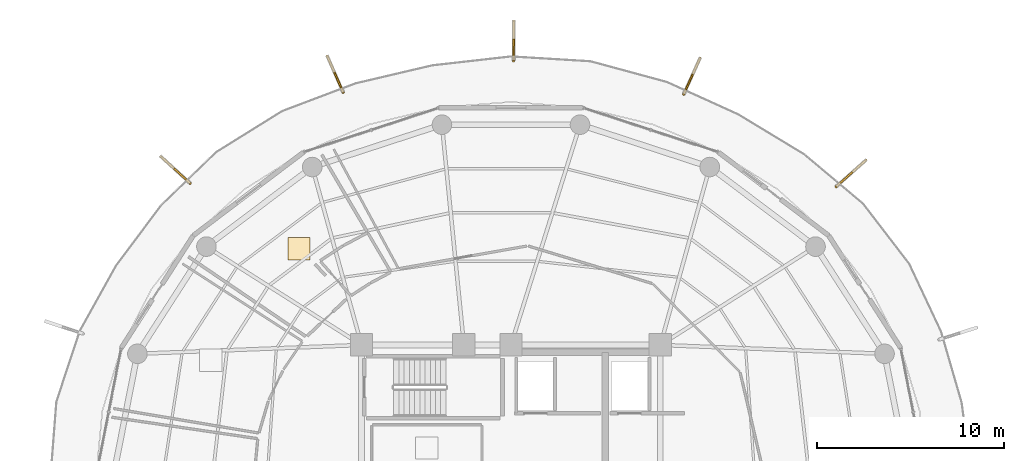
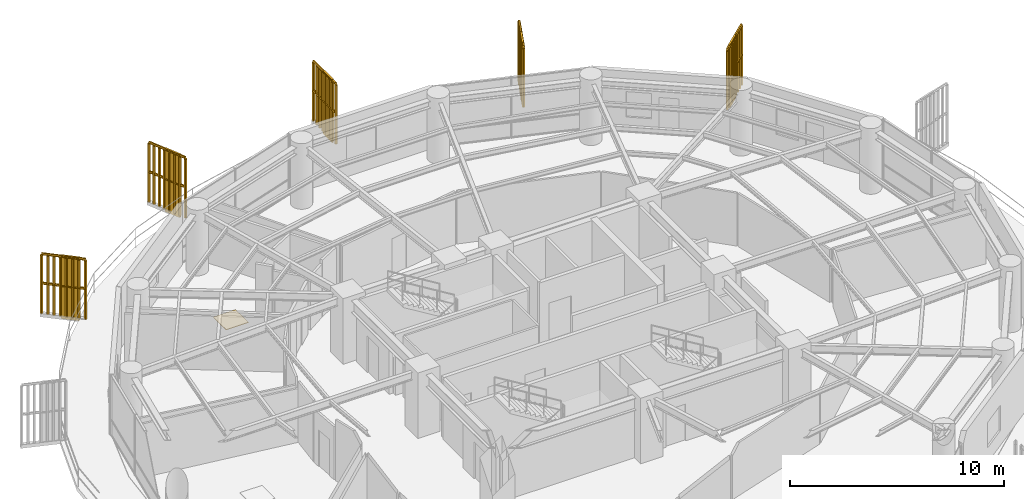
# One storey, part 31 of 31: 5 railings, 5 shading devices, 1 covering.
"""IFC4 building model written with IfcOpenShell, lengths in metres."""

from ifc_helpers import new_model, si_unit, direction, frame, origin, origin_2d, place, context, subcontext, project, spatial, polyline, rectangle, outline, extrude, source, transform, mapped, material, layer, layer_set, type_object, element, save


model = new_model("IFC4")

# Units and contexts
model_context = context("Model", 3, precision=1e-05, world=origin(), true_north=direction((0.0, 1.0)))
body_context = subcontext(model_context, "Body", "Model", "MODEL_VIEW")
ifc_project = project(units=[si_unit("LENGTHUNIT", "METRE"), si_unit("AREAUNIT", "SQUARE_METRE"), si_unit("VOLUMEUNIT", "CUBIC_METRE"), si_unit("PLANEANGLEUNIT", "RADIAN"), si_unit("MASSUNIT", "GRAM", prefix="KILO")], contexts=[model_context])

# Site, building, storey
site_placement = place(None, origin())
site = spatial("IfcSite", under=ifc_project, at=site_placement, CompositionType="ELEMENT")
building_placement = place(site_placement, origin())
building = spatial("IfcBuilding", under=site, at=building_placement, Name="Kelanora Arch Commons", CompositionType="ELEMENT")
storey_placement = place(building_placement, frame((0.0, 0.0, 193.199951171875)))
storey = spatial("IfcBuildingStorey", under=building, at=storey_placement, Name="L49", CompositionType="ELEMENT", Elevation=193.199951171875)

# Railings
ifc_material_1 = material(Name="Anodised bronze vertical shading fin rib assembly")
railing_type = type_object("IfcRailingType", Name="RAIL-FIN-BRZ", PredefinedType="BALUSTRADE", material=ifc_material_1)
railing_1_placement = place(storey_placement, frame((91.41162109375, 73.482177734375, -0.02001953125)))
element("IfcRailing", 1, at=railing_1_placement, inside=storey, type_object=railing_type, Name="Sweeping Bronze Vertical Fin Blade L49-03", PredefinedType="BALUSTRADE", context=body_context, shape_type="SweptSolid", body=[
    extrude(outline(polyline([(0.06982421875, 0.0), (0.034912109375, 0.060546875), (-0.034912109375, 0.060546875), (-0.06982421875, 0.0), (-0.034912109375, -0.060546875), (0.034912109375, -0.060546875), (0.06982421875, 0.0)])), frame((0.0, 0.0, 3.419921875), z_axis=(0.747300673153, 0.664486044929, 0.0), x_axis=(-0.664486044929, 0.747300673153, 0.0)), (0.0, 0.0, 1.0), 2.10791015625),
    extrude(outline(polyline([(0.06982421875, 0.0), (0.034912109375, 0.060546875), (-0.034912109375, 0.060546875), (-0.06982421875, 0.0), (-0.034912109375, -0.060546875), (0.034912109375, -0.060546875), (0.06982421875, 0.0)])), frame((0.0, 0.0, 1.7451171875), z_axis=(0.747300673153, 0.664486044929, 0.0), x_axis=(-0.664486044929, 0.747300673153, 0.0)), (0.0, 0.0, 1.0), 2.10791015625),
    extrude(outline(polyline([(0.080078125, 0.0), (0.0400390625, 0.0693359375), (-0.0400390625, 0.0693359375), (-0.080078125, 0.0), (-0.0400390625, -0.0693359375), (0.0400390625, -0.0693359375), (0.080078125, 0.0)])), origin(), (0.0, 0.0, 1.0), 3.35009765625),
    extrude(outline(polyline([(0.080078125, 0.0), (0.0400390625, 0.0693359375), (-0.0400390625, 0.0693359375), (-0.080078125, 0.0), (-0.0400390625, -0.0693359375), (0.0400390625, -0.0693359375), (0.080078125, 0.0)])), frame((0.22509765625, 0.2001953125, 0.0)), (0.0, 0.0, 1.0), 3.35009765625),
    extrude(outline(polyline([(0.080078125, 0.0), (0.0400390625, 0.0693359375), (-0.0400390625, 0.0693359375), (-0.080078125, 0.0), (-0.0400390625, -0.0693359375), (0.0400390625, -0.0693359375), (0.080078125, 0.0)])), frame((0.449951171875, 0.400146484375, 0.0)), (0.0, 0.0, 1.0), 3.35009765625),
    extrude(outline(polyline([(0.080078125, 0.0), (0.0400390625, 0.0693359375), (-0.0400390625, 0.0693359375), (-0.080078125, 0.0), (-0.0400390625, -0.0693359375), (0.0400390625, -0.0693359375), (0.080078125, 0.0)])), frame((0.675048828125, 0.600341796875, 0.0)), (0.0, 0.0, 1.0), 3.35009765625),
    extrude(outline(polyline([(0.080078125, 0.0), (0.0400390625, 0.0693359375), (-0.0400390625, 0.0693359375), (-0.080078125, 0.0), (-0.0400390625, -0.0693359375), (0.0400390625, -0.0693359375), (0.080078125, 0.0)])), frame((0.900146484375, 0.80029296875, 0.0)), (0.0, 0.0, 1.0), 3.35009765625),
    extrude(outline(polyline([(0.080078125, 0.0), (0.0400390625, 0.0693359375), (-0.0400390625, 0.0693359375), (-0.080078125, 0.0), (-0.0400390625, -0.0693359375), (0.0400390625, -0.0693359375), (0.080078125, 0.0)])), frame((1.125244140625, 1.00048828125, 0.0)), (0.0, 0.0, 1.0), 3.35009765625),
    extrude(outline(polyline([(0.080078125, 0.0), (0.0400390625, 0.0693359375), (-0.0400390625, 0.0693359375), (-0.080078125, 0.0), (-0.0400390625, -0.0693359375), (0.0400390625, -0.0693359375), (0.080078125, 0.0)])), frame((1.35009765625, 1.200439453125, 0.0)), (0.0, 0.0, 1.0), 3.35009765625),
    extrude(outline(polyline([(0.080078125, 0.0), (0.0400390625, 0.0693359375), (-0.0400390625, 0.0693359375), (-0.080078125, 0.0), (-0.0400390625, -0.0693359375), (0.0400390625, -0.0693359375), (0.080078125, 0.0)])), frame((1.5751953125, 1.400634765625, 0.0)), (0.0, 0.0, 1.0), 3.35009765625),
])
railing_2_placement = place(storey_placement, frame((83.247314453125, 78.42626953125, -0.02001953125)))
element("IfcRailing", 2, at=railing_2_placement, inside=storey, type_object=railing_type, Name="Sweeping Bronze Vertical Fin Blade L49-04", PredefinedType="BALUSTRADE", context=body_context, shape_type="SweptSolid", body=[
    extrude(outline(polyline([(0.06982421875, 0.0), (0.034912109375, 0.060546875), (-0.034912109375, 0.060546875), (-0.06982421875, 0.0), (-0.034912109375, -0.060546875), (0.034912109375, -0.060546875), (0.06982421875, 0.0)])), frame((0.0, 0.0, 3.419921875), z_axis=(0.412458587309, 0.910976351919, 0.0), x_axis=(-0.910976351919, 0.412458587309, 0.0)), (0.0, 0.0, 1.0), 2.10791015625),
    extrude(outline(polyline([(0.06982421875, 0.0), (0.034912109375, 0.060546875), (-0.034912109375, 0.060546875), (-0.06982421875, 0.0), (-0.034912109375, -0.060546875), (0.034912109375, -0.060546875), (0.06982421875, 0.0)])), frame((0.0, 0.0, 1.7451171875), z_axis=(0.412458587309, 0.910976351919, 0.0), x_axis=(-0.910976351919, 0.412458587309, 0.0)), (0.0, 0.0, 1.0), 2.10791015625),
    extrude(outline(polyline([(0.080078125, 0.0), (0.0400390625, 0.0693359375), (-0.0400390625, 0.0693359375), (-0.080078125, 0.0), (-0.0400390625, -0.0693359375), (0.0400390625, -0.0693359375), (0.080078125, 0.0)])), origin(), (0.0, 0.0, 1.0), 3.35009765625),
    extrude(outline(polyline([(0.080078125, 0.0), (0.0400390625, 0.0693359375), (-0.0400390625, 0.0693359375), (-0.080078125, 0.0), (-0.0400390625, -0.0693359375), (0.0400390625, -0.0693359375), (0.080078125, 0.0)])), frame((0.124267578125, 0.2744140625, 0.0)), (0.0, 0.0, 1.0), 3.35009765625),
    extrude(outline(polyline([(0.080078125, 0.0), (0.0400390625, 0.0693359375), (-0.0400390625, 0.0693359375), (-0.080078125, 0.0), (-0.0400390625, -0.0693359375), (0.0400390625, -0.0693359375), (0.080078125, 0.0)])), frame((0.248291015625, 0.548583984375, 0.0)), (0.0, 0.0, 1.0), 3.35009765625),
    extrude(outline(polyline([(0.080078125, 0.0), (0.0400390625, 0.0693359375), (-0.0400390625, 0.0693359375), (-0.080078125, 0.0), (-0.0400390625, -0.0693359375), (0.0400390625, -0.0693359375), (0.080078125, 0.0)])), frame((0.37255859375, 0.822998046875, 0.0)), (0.0, 0.0, 1.0), 3.35009765625),
    extrude(outline(polyline([(0.080078125, 0.0), (0.0400390625, 0.0693359375), (-0.0400390625, 0.0693359375), (-0.080078125, 0.0), (-0.0400390625, -0.0693359375), (0.0400390625, -0.0693359375), (0.080078125, 0.0)])), frame((0.496826171875, 1.09716796875, 0.0)), (0.0, 0.0, 1.0), 3.35009765625),
    extrude(outline(polyline([(0.080078125, 0.0), (0.0400390625, 0.0693359375), (-0.0400390625, 0.0693359375), (-0.080078125, 0.0), (-0.0400390625, -0.0693359375), (0.0400390625, -0.0693359375), (0.080078125, 0.0)])), frame((0.62109375, 1.37158203125, 0.0)), (0.0, 0.0, 1.0), 3.35009765625),
    extrude(outline(polyline([(0.080078125, 0.0), (0.0400390625, 0.0693359375), (-0.0400390625, 0.0693359375), (-0.080078125, 0.0), (-0.0400390625, -0.0693359375), (0.0400390625, -0.0693359375), (0.080078125, 0.0)])), frame((0.7451171875, 1.645751953125, 0.0)), (0.0, 0.0, 1.0), 3.35009765625),
    extrude(outline(polyline([(0.080078125, 0.0), (0.0400390625, 0.0693359375), (-0.0400390625, 0.0693359375), (-0.080078125, 0.0), (-0.0400390625, -0.0693359375), (0.0400390625, -0.0693359375), (0.080078125, 0.0)])), frame((0.869384765625, 1.920166015625, 0.0)), (0.0, 0.0, 1.0), 3.35009765625),
])
railing_3_placement = place(storey_placement, frame((74.138427734375, 80.217041015625, -0.02001953125)))
element("IfcRailing", 3, at=railing_3_placement, inside=storey, type_object=railing_type, Name="Sweeping Bronze Vertical Fin Blade L49-05", PredefinedType="BALUSTRADE", context=body_context, shape_type="SweptSolid", body=[
    extrude(outline(polyline([(0.06982421875, 0.0), (0.034912109375, 0.060546875), (-0.034912109375, 0.060546875), (-0.06982421875, 0.0), (-0.034912109375, -0.060546875), (0.034912109375, -0.060546875), (0.06982421875, 0.0)])), frame((0.0, 0.0, 3.419921875), z_axis=(0.006253496714, 0.999980446698, 0.0), x_axis=(-0.999980446698, 0.006253496714, 0.0)), (0.0, 0.0, 1.0), 2.108154296875),
    extrude(outline(polyline([(0.06982421875, 0.0), (0.034912109375, 0.060546875), (-0.034912109375, 0.060546875), (-0.06982421875, 0.0), (-0.034912109375, -0.060546875), (0.034912109375, -0.060546875), (0.06982421875, 0.0)])), frame((0.0, 0.0, 1.7451171875), z_axis=(0.006253496714, 0.999980446698, 0.0), x_axis=(-0.999980446698, 0.006253496714, 0.0)), (0.0, 0.0, 1.0), 2.108154296875),
    extrude(outline(polyline([(0.080078125, 0.0), (0.0400390625, 0.0693359375), (-0.0400390625, 0.0693359375), (-0.080078125, 0.0), (-0.0400390625, -0.0693359375), (0.0400390625, -0.0693359375), (0.080078125, 0.0)])), origin(), (0.0, 0.0, 1.0), 3.35009765625),
    extrude(outline(polyline([(0.080078125, 0.0), (0.0400390625, 0.0693359375), (-0.0400390625, 0.0693359375), (-0.080078125, 0.0), (-0.0400390625, -0.0693359375), (0.0400390625, -0.0693359375), (0.080078125, 0.0)])), frame((0.001953125, 0.30126953125, 0.0)), (0.0, 0.0, 1.0), 3.35009765625),
    extrude(outline(polyline([(0.080078125, 0.0), (0.0400390625, 0.0693359375), (-0.0400390625, 0.0693359375), (-0.080078125, 0.0), (-0.0400390625, -0.0693359375), (0.0400390625, -0.0693359375), (0.080078125, 0.0)])), frame((0.003662109375, 0.602294921875, 0.0)), (0.0, 0.0, 1.0), 3.35009765625),
    extrude(outline(polyline([(0.080078125, 0.0), (0.0400390625, 0.0693359375), (-0.0400390625, 0.0693359375), (-0.080078125, 0.0), (-0.0400390625, -0.0693359375), (0.0400390625, -0.0693359375), (0.080078125, 0.0)])), frame((0.005615234375, 0.903564453125, 0.0)), (0.0, 0.0, 1.0), 3.35009765625),
    extrude(outline(polyline([(0.080078125, 0.0), (0.0400390625, 0.0693359375), (-0.0400390625, 0.0693359375), (-0.080078125, 0.0), (-0.0400390625, -0.0693359375), (0.0400390625, -0.0693359375), (0.080078125, 0.0)])), frame((0.007568359375, 1.20458984375, 0.0)), (0.0, 0.0, 1.0), 3.35009765625),
    extrude(outline(polyline([(0.080078125, 0.0), (0.0400390625, 0.0693359375), (-0.0400390625, 0.0693359375), (-0.080078125, 0.0), (-0.0400390625, -0.0693359375), (0.0400390625, -0.0693359375), (0.080078125, 0.0)])), frame((0.009521484375, 1.505859375, 0.0)), (0.0, 0.0, 1.0), 3.35009765625),
    extrude(outline(polyline([(0.080078125, 0.0), (0.0400390625, 0.0693359375), (-0.0400390625, 0.0693359375), (-0.080078125, 0.0), (-0.0400390625, -0.0693359375), (0.0400390625, -0.0693359375), (0.080078125, 0.0)])), frame((0.01123046875, 1.806884765625, 0.0)), (0.0, 0.0, 1.0), 3.35009765625),
    extrude(outline(polyline([(0.080078125, 0.0), (0.0400390625, 0.0693359375), (-0.0400390625, 0.0693359375), (-0.080078125, 0.0), (-0.0400390625, -0.0693359375), (0.0400390625, -0.0693359375), (0.080078125, 0.0)])), frame((0.01318359375, 2.108154296875, 0.0)), (0.0, 0.0, 1.0), 3.35009765625),
])
railing_4_placement = place(storey_placement, frame((65.01708984375, 78.519287109375, -0.02001953125)))
element("IfcRailing", 4, at=railing_4_placement, inside=storey, type_object=railing_type, Name="Sweeping Bronze Vertical Fin Blade L49-06", PredefinedType="BALUSTRADE", context=body_context, shape_type="SweptSolid", body=[
    extrude(outline(polyline([(0.06982421875, 0.0), (0.034912109375, 0.060546875), (-0.034912109375, 0.060546875), (-0.06982421875, 0.0), (-0.034912109375, -0.060546875), (0.034912109375, -0.060546875), (0.06982421875, 0.0)])), frame((0.0, 0.0, 3.419921875), z_axis=(-0.401049681684, 0.916056304395, 0.0), x_axis=(-0.916056304395, -0.401049681684, 0.0)), (0.0, 0.0, 1.0), 2.108154296875),
    extrude(outline(polyline([(0.06982421875, 0.0), (0.034912109375, 0.060546875), (-0.034912109375, 0.060546875), (-0.06982421875, 0.0), (-0.034912109375, -0.060546875), (0.034912109375, -0.060546875), (0.06982421875, 0.0)])), frame((0.0, 0.0, 1.7451171875), z_axis=(-0.401049681684, 0.916056304395, 0.0), x_axis=(-0.916056304395, -0.401049681684, 0.0)), (0.0, 0.0, 1.0), 2.108154296875),
    extrude(outline(polyline([(0.080078125, 0.0), (0.0400390625, 0.0693359375), (-0.0400390625, 0.0693359375), (-0.080078125, 0.0), (-0.0400390625, -0.0693359375), (0.0400390625, -0.0693359375), (0.080078125, 0.0)])), origin(), (0.0, 0.0, 1.0), 3.35009765625),
    extrude(outline(polyline([(0.080078125, 0.0), (0.0400390625, 0.0693359375), (-0.0400390625, 0.0693359375), (-0.080078125, 0.0), (-0.0400390625, -0.0693359375), (0.0400390625, -0.0693359375), (0.080078125, 0.0)])), frame((-0.120849609375, 0.27587890625, 0.0)), (0.0, 0.0, 1.0), 3.35009765625),
    extrude(outline(polyline([(0.080078125, 0.0), (0.0400390625, 0.0693359375), (-0.0400390625, 0.0693359375), (-0.080078125, 0.0), (-0.0400390625, -0.0693359375), (0.0400390625, -0.0693359375), (0.080078125, 0.0)])), frame((-0.241455078125, 0.5517578125, 0.0)), (0.0, 0.0, 1.0), 3.35009765625),
    extrude(outline(polyline([(0.080078125, 0.0), (0.0400390625, 0.0693359375), (-0.0400390625, 0.0693359375), (-0.080078125, 0.0), (-0.0400390625, -0.0693359375), (0.0400390625, -0.0693359375), (0.080078125, 0.0)])), frame((-0.3623046875, 0.82763671875, 0.0)), (0.0, 0.0, 1.0), 3.35009765625),
    extrude(outline(polyline([(0.080078125, 0.0), (0.0400390625, 0.0693359375), (-0.0400390625, 0.0693359375), (-0.080078125, 0.0), (-0.0400390625, -0.0693359375), (0.0400390625, -0.0693359375), (0.080078125, 0.0)])), frame((-0.483154296875, 1.103515625, 0.0)), (0.0, 0.0, 1.0), 3.35009765625),
    extrude(outline(polyline([(0.080078125, 0.0), (0.0400390625, 0.0693359375), (-0.0400390625, 0.0693359375), (-0.080078125, 0.0), (-0.0400390625, -0.0693359375), (0.0400390625, -0.0693359375), (0.080078125, 0.0)])), frame((-0.60400390625, 1.37939453125, 0.0)), (0.0, 0.0, 1.0), 3.35009765625),
    extrude(outline(polyline([(0.080078125, 0.0), (0.0400390625, 0.0693359375), (-0.0400390625, 0.0693359375), (-0.080078125, 0.0), (-0.0400390625, -0.0693359375), (0.0400390625, -0.0693359375), (0.080078125, 0.0)])), frame((-0.724609375, 1.6552734375, 0.0)), (0.0, 0.0, 1.0), 3.35009765625),
    extrude(outline(polyline([(0.080078125, 0.0), (0.0400390625, 0.0693359375), (-0.0400390625, 0.0693359375), (-0.080078125, 0.0), (-0.0400390625, -0.0693359375), (0.0400390625, -0.0693359375), (0.080078125, 0.0)])), frame((-0.845458984375, 1.93115234375, 0.0)), (0.0, 0.0, 1.0), 3.35009765625),
])
railing_5_placement = place(storey_placement, frame((56.8193359375, 73.66455078125, -0.02001953125)))
element("IfcRailing", 5, at=railing_5_placement, inside=storey, type_object=railing_type, Name="Sweeping Bronze Vertical Fin Blade L49-07", PredefinedType="BALUSTRADE", context=body_context, shape_type="SweptSolid", body=[
    extrude(outline(polyline([(0.06982421875, 0.0), (0.034912109375, 0.060546875), (-0.034912109375, 0.060546875), (-0.06982421875, 0.0), (-0.034912109375, -0.060546875), (0.034912109375, -0.060546875), (0.06982421875, 0.0)])), frame((0.0, 0.0, 3.419921875), z_axis=(-0.738959236019, 0.673750137292, 0.0), x_axis=(-0.673750137292, -0.738959236019, 0.0)), (0.0, 0.0, 1.0), 2.10791015625),
    extrude(outline(polyline([(0.06982421875, 0.0), (0.034912109375, 0.060546875), (-0.034912109375, 0.060546875), (-0.06982421875, 0.0), (-0.034912109375, -0.060546875), (0.034912109375, -0.060546875), (0.06982421875, 0.0)])), frame((0.0, 0.0, 1.7451171875), z_axis=(-0.738959236019, 0.673750137292, 0.0), x_axis=(-0.673750137292, -0.738959236019, 0.0)), (0.0, 0.0, 1.0), 2.10791015625),
    extrude(outline(polyline([(0.080078125, 0.0), (0.0400390625, 0.0693359375), (-0.0400390625, 0.0693359375), (-0.080078125, 0.0), (-0.0400390625, -0.0693359375), (0.0400390625, -0.0693359375), (0.080078125, 0.0)])), origin(), (0.0, 0.0, 1.0), 3.35009765625),
    extrude(outline(polyline([(0.080078125, 0.0), (0.0400390625, 0.0693359375), (-0.0400390625, 0.0693359375), (-0.080078125, 0.0), (-0.0400390625, -0.0693359375), (0.0400390625, -0.0693359375), (0.080078125, 0.0)])), frame((-0.222412109375, 0.202880859375, 0.0)), (0.0, 0.0, 1.0), 3.35009765625),
    extrude(outline(polyline([(0.080078125, 0.0), (0.0400390625, 0.0693359375), (-0.0400390625, 0.0693359375), (-0.080078125, 0.0), (-0.0400390625, -0.0693359375), (0.0400390625, -0.0693359375), (0.080078125, 0.0)])), frame((-0.445068359375, 0.40576171875, 0.0)), (0.0, 0.0, 1.0), 3.35009765625),
    extrude(outline(polyline([(0.080078125, 0.0), (0.0400390625, 0.0693359375), (-0.0400390625, 0.0693359375), (-0.080078125, 0.0), (-0.0400390625, -0.0693359375), (0.0400390625, -0.0693359375), (0.080078125, 0.0)])), frame((-0.66748046875, 0.608642578125, 0.0)), (0.0, 0.0, 1.0), 3.35009765625),
    extrude(outline(polyline([(0.080078125, 0.0), (0.0400390625, 0.0693359375), (-0.0400390625, 0.0693359375), (-0.080078125, 0.0), (-0.0400390625, -0.0693359375), (0.0400390625, -0.0693359375), (0.080078125, 0.0)])), frame((-0.89013671875, 0.8115234375, 0.0)), (0.0, 0.0, 1.0), 3.35009765625),
    extrude(outline(polyline([(0.080078125, 0.0), (0.0400390625, 0.0693359375), (-0.0400390625, 0.0693359375), (-0.080078125, 0.0), (-0.0400390625, -0.0693359375), (0.0400390625, -0.0693359375), (0.080078125, 0.0)])), frame((-1.112548828125, 1.014404296875, 0.0)), (0.0, 0.0, 1.0), 3.35009765625),
    extrude(outline(polyline([(0.080078125, 0.0), (0.0400390625, 0.0693359375), (-0.0400390625, 0.0693359375), (-0.080078125, 0.0), (-0.0400390625, -0.0693359375), (0.0400390625, -0.0693359375), (0.080078125, 0.0)])), frame((-1.335205078125, 1.21728515625, 0.0)), (0.0, 0.0, 1.0), 3.35009765625),
    extrude(outline(polyline([(0.080078125, 0.0), (0.0400390625, 0.0693359375), (-0.0400390625, 0.0693359375), (-0.080078125, 0.0), (-0.0400390625, -0.0693359375), (0.0400390625, -0.0693359375), (0.080078125, 0.0)])), frame((-1.5576171875, 1.420166015625, 0.0)), (0.0, 0.0, 1.0), 3.35009765625),
])

# Shading devices
ifc_material_2 = material(Name="Terracotta ceramic-clad extruded aluminium fin", Category="masonry")
shading_device_type = type_object("IfcShadingDeviceType", Name="SHD-FIN-FLARE", PredefinedType="USERDEFINED", material=ifc_material_2)
shared_shape_1 = source(origin(), body_context, "Body", "SweptSolid", [
    extrude(rectangle(XDim=0.8798828125, YDim=0.090087890625, at=origin_2d()), origin(), (0.0, 0.0, 1.0), 3.610107421875),
])
for number, where, z_axis, x_axis, name in (
    (6, (91.94970703125, 73.96044921875, -0.14013671875), (0.0, 0.0, 1.0), (0.747334400366, 0.664448112368, 0.0), "Sweeping Terracotta Fin L49-03"),
    (7, (83.544189453125, 79.08203125, -0.14013671875), (0.0, 0.0, 1.0), (0.412468552072, 0.910971840153, 0.0), "Sweeping Terracotta Fin L49-04"),
    (8, (74.142822265625, 80.93701171875, -0.14013671875), (0.0, 0.0, 1.0), (0.006283143966, 0.999980260856, 0.0), "Sweeping Terracotta Fin L49-05"),
    (9, (64.728271484375, 79.178955078125, -0.14013671875), (0.0, 0.0, 1.0), (-0.400988676813, 0.916083009922, 0.0), "Sweeping Terracotta Fin L49-06"),
    (10, (56.287109375, 74.149658203125, -0.14013671875), (0.0, 0.0, 1.0), (-0.738925912503, 0.673786684219, 0.0), "Sweeping Terracotta Fin L49-07"),
):
    element("IfcShadingDevice", number, at=place(storey_placement, frame(where, z_axis=z_axis, x_axis=x_axis)), inside=storey, type_object=shading_device_type, Name=name, ObjectType="FIN", PredefinedType="USERDEFINED", context=body_context, shape_type="MappedRepresentation", body=[
        mapped(shared_shape_1, transform((0.0, 0.0, 0.0), scale=1.0)),
    ])

# Covering
ifc_material_3 = material(Name="Polished local granite terrazzo flooring", Category="masonry")
ifc_layer = layer(ifc_material_3, 0.030029296875)
ifc_layer_set = layer_set([ifc_layer], Name="Polished local granite terrazzo flooring")
covering_type = type_object("IfcCoveringType", Name="COV-FLR-TER", PredefinedType="FLOORING", material=ifc_layer_set)
shared_shape_2 = source(origin(), body_context, "Body", "SweptSolid", [
    extrude(rectangle(XDim=1.199951171875, YDim=1.199951171875, at=origin_2d()), origin(), (0.0, 0.0, 1.0), 0.030029296875),
])
covering_placement = place(storey_placement, frame((62.653076171875, 70.156982421875, 0.0), z_axis=(0.0, 0.0, 1.0), x_axis=(1.0, 0.0, 0.0)))
element("IfcCovering", 11, at=covering_placement, inside=storey, type_object=covering_type, Name="Co-Living Studio L49-01 Terrazzo Finish", PredefinedType="FLOORING", context=body_context, shape_type="MappedRepresentation", body=[
    mapped(shared_shape_2, transform((0.0, 0.0, 0.0), scale=1.0)),
])

save(model, "model.ifc")
